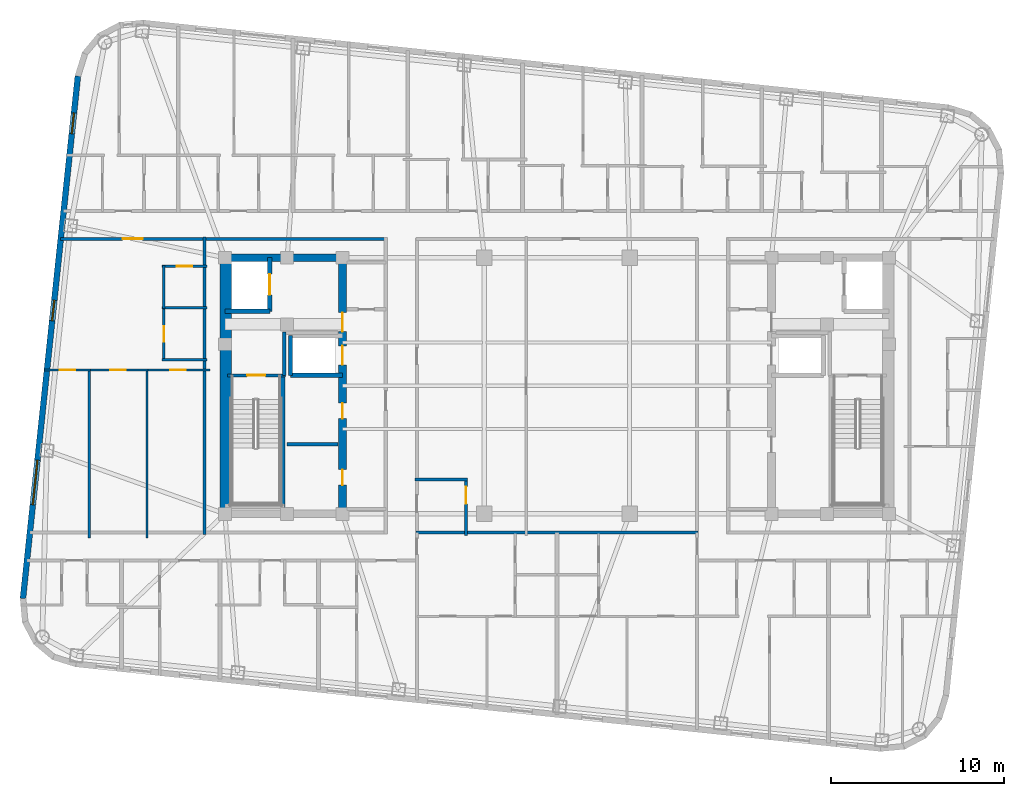
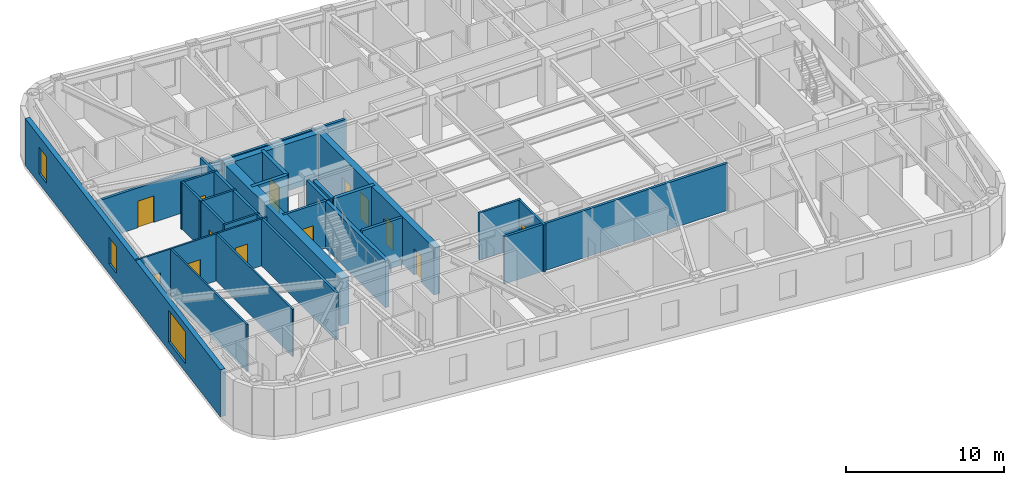
# One storey, part 4 of 11: 27 walls, 13 doors, 3 windows, 16 openings.
"""IFC4 building model written with IfcOpenShell, lengths in metres."""

from ifc_helpers import new_model, si_unit, direction, frame, frame_2d, origin, place, context, subcontext, project, spatial, rectangle, extrude, material, layer, layer_set, type_object, element, fill, save


model = new_model("IFC4")

# Units and contexts
model_context = context("Model", 3, precision=1e-05, world=origin(), true_north=direction((0.0, 1.0)))
body_context = subcontext(model_context, "Body", "Model", "MODEL_VIEW")
ifc_project = project(units=[si_unit("LENGTHUNIT", "METRE"), si_unit("AREAUNIT", "SQUARE_METRE"), si_unit("VOLUMEUNIT", "CUBIC_METRE"), si_unit("PLANEANGLEUNIT", "RADIAN"), si_unit("MASSUNIT", "GRAM", prefix="KILO")], contexts=[model_context])

# Site, building, storey
site_placement = place(None, origin())
site = spatial("IfcSite", under=ifc_project, at=site_placement, CompositionType="ELEMENT")
building_placement = place(site_placement, origin())
building = spatial("IfcBuilding", under=site, at=building_placement, Name="Voryun Gate Residences", CompositionType="ELEMENT")
storey_placement = place(building_placement, frame((0.0, 0.0, 299.0)))
storey = spatial("IfcBuildingStorey", under=building, at=storey_placement, Name="L74", CompositionType="ELEMENT", Elevation=299.0)

# Wall
ifc_material_1 = material(Name="Concrete C50/60", Category="concrete")
ifc_layer_1 = layer(ifc_material_1, 0.449951171875, Name="CW_CORE_450")
ifc_layer_set_1 = layer_set([ifc_layer_1], Name="Concrete C50/60")
wall_type_1 = type_object("IfcWallType", Name="CW_CORE_450", PredefinedType="SHEAR", material=ifc_layer_set_1)
wall_1_placement = place(storey_placement, frame((-19.425048828125, 7.39990234375, 0.0), z_axis=(0.0, 0.0, 1.0), x_axis=(1.0, 0.0, 0.0)))
element("IfcWall", 1, at=wall_1_placement, inside=storey, type_object=wall_type_1, Name="L74 Core shear wall CW-L74-WN", PredefinedType="SHEAR", context=body_context, shape_type="SweptSolid", body=[
    extrude(rectangle(XDim=7.25, YDim=0.449951171875, at=frame_2d((3.625, 0.0))), origin(), (0.0, 0.0, 1.0), 3.635009765625),
])

# Wall, openings, doors
wall_2_placement = place(storey_placement, frame((-12.39990234375, -7.39990234375, 0.0), z_axis=(0.0, 0.0, 1.0), x_axis=(0.0, 1.0, 0.0)))
wall_2 = element("IfcWall", 2, at=wall_2_placement, inside=storey, type_object=wall_type_1, Name="L74 Core shear wall CW-L74-WE", PredefinedType="SHEAR", context=body_context, shape_type="SweptSolid", body=[
    extrude(rectangle(XDim=14.7998046875, YDim=0.449951171875, at=frame_2d((7.39990234375, 0.0))), origin(), (0.0, 0.0, 1.0), 3.635009765625),
])
opening_1_placement = place(wall_2_placement, frame((8.60009765625, 0.0, 0.0)))
opening_1 = element("IfcOpeningElement", 3, at=opening_1_placement, cuts=wall_2, Name="Opening LD2", PredefinedType="OPENING", context=body_context, shape_type="SweptSolid", body=[
    extrude(rectangle(XDim=1.10009765625, YDim=2.050048828125, at=frame_2d((0.550048828125, 1.02490234375))), frame((0.0, 0.235107421875, 0.0), z_axis=(0.0, -1.0, 0.0), x_axis=(1.0, 0.0, 0.0)), (0.0, 0.0, 1.0), 0.469970703125),
])
opening_2_placement = place(wall_2_placement, frame((10.530029296875, 0.0, 0.0)))
opening_2 = element("IfcOpeningElement", 4, at=opening_2_placement, cuts=wall_2, Name="Opening D-FD60-2", PredefinedType="OPENING", context=body_context, shape_type="SweptSolid", body=[
    extrude(rectangle(XDim=1.10009765625, YDim=2.050048828125, at=frame_2d((0.550048828125, 1.02490234375))), frame((0.0, 0.235107421875, 0.0), z_axis=(0.0, -1.0, 0.0), x_axis=(1.0, 0.0, 0.0)), (0.0, 0.0, 1.0), 0.469970703125),
])
opening_3_placement = place(wall_2_placement, frame((1.64990234375, 0.0, 0.0)))
opening_3 = element("IfcOpeningElement", 5, at=opening_3_placement, cuts=wall_2, Name="Opening D-FD60-4", PredefinedType="OPENING", context=body_context, shape_type="SweptSolid", body=[
    extrude(rectangle(XDim=0.89990234375, YDim=2.050048828125, at=frame_2d((0.449951171875, 1.02490234375))), frame((0.0, 0.235107421875, 0.0), z_axis=(0.0, -1.0, 0.0), x_axis=(1.0, 0.0, 0.0)), (0.0, 0.0, 1.0), 0.469970703125),
])
opening_4_placement = place(wall_2_placement, frame((5.5, 0.0, 0.0)))
opening_4 = element("IfcOpeningElement", 6, at=opening_4_placement, cuts=wall_2, Name="Opening D-FD60-4", PredefinedType="OPENING", context=body_context, shape_type="SweptSolid", body=[
    extrude(rectangle(XDim=0.89990234375, YDim=2.050048828125, at=frame_2d((0.449951171875, 1.02490234375))), frame((0.0, 0.235107421875, 0.0), z_axis=(0.0, -1.0, 0.0), x_axis=(1.0, 0.0, 0.0)), (0.0, 0.0, 1.0), 0.469970703125),
])
ifc_material_2 = material(Name="Painted steel fire door", Category="steel")
door_type_1 = type_object("IfcDoorType", Name="DR_FD60_FFLOB_1100", OperationType="NOTDEFINED", PredefinedType="DOOR", material=ifc_material_2)
door_1_placement = place(opening_2_placement, origin())
door_1 = element("IfcDoor", 7, at=door_1_placement, inside=storey, type_object=door_type_1, Name="Door DR-L74-CLOB-W", OperationType="SINGLE_SWING_LEFT", OverallHeight=2.050048828125, OverallWidth=1.10009765625, PredefinedType="DOOR", context=body_context, shape_type="SweptSolid", body=[
    extrude(rectangle(XDim=1.10009765625, YDim=2.050048828125, at=frame_2d((0.550048828125, 1.02490234375))), frame((0.0, 0.02490234375, 0.0), z_axis=(0.0, -1.0, 0.0), x_axis=(1.0, 0.0, 0.0)), (0.0, 0.0, 1.0), 0.050048828125),
])
fill(opening_2, door_1)
ifc_material_3 = material(Name="Painted steel fire door", Category="steel")
door_type_2 = type_object("IfcDoorType", Name="DR_FD60_RISER_900", OperationType="NOTDEFINED", PredefinedType="DOOR", material=ifc_material_3)
door_2_placement = place(opening_3_placement, origin())
door_2 = element("IfcDoor", 8, at=door_2_placement, inside=storey, type_object=door_type_2, Name="Door DR-L74-RECW-HS", OperationType="SINGLE_SWING_LEFT", OverallHeight=2.050048828125, OverallWidth=0.89990234375, PredefinedType="DOOR", context=body_context, shape_type="SweptSolid", body=[
    extrude(rectangle(XDim=0.89990234375, YDim=2.050048828125, at=frame_2d((0.449951171875, 1.02490234375))), frame((0.0, 0.02490234375, 0.0), z_axis=(0.0, -1.0, 0.0), x_axis=(1.0, 0.0, 0.0)), (0.0, 0.0, 1.0), 0.050048828125),
])
fill(opening_3, door_2)
door_3_placement = place(opening_4_placement, origin())
door_3 = element("IfcDoor", 9, at=door_3_placement, inside=storey, type_object=door_type_2, Name="Door DR-L74-RECW-HN", OperationType="SINGLE_SWING_RIGHT", OverallHeight=2.050048828125, OverallWidth=0.89990234375, PredefinedType="DOOR", context=body_context, shape_type="SweptSolid", body=[
    extrude(rectangle(XDim=0.89990234375, YDim=2.050048828125, at=frame_2d((0.449951171875, 1.02490234375))), frame((0.0, 0.02490234375, 0.0), z_axis=(0.0, -1.0, 0.0), x_axis=(1.0, 0.0, 0.0)), (0.0, 0.0, 1.0), 0.050048828125),
])
fill(opening_4, door_3)
ifc_material_4 = material(Name="Anodised aluminium", Category="aluminium")
door_type_3 = type_object("IfcDoorType", Name="DR_LD_PASS_1100", OperationType="NOTDEFINED", PredefinedType="DOOR", material=ifc_material_4)
door_4_placement = place(opening_1_placement, origin())
door_4 = element("IfcDoor", 10, at=door_4_placement, inside=storey, type_object=door_type_3, Name="Lift EL-P7 sliding landing door L74", OperationType="SLIDING_TO_LEFT", OverallHeight=2.050048828125, OverallWidth=1.10009765625, PredefinedType="DOOR", context=body_context, shape_type="SweptSolid", body=[
    extrude(rectangle(XDim=1.10009765625, YDim=2.050048828125, at=frame_2d((0.550048828125, 1.02490234375))), frame((0.0, 0.02490234375, 0.0), z_axis=(0.0, -1.0, 0.0), x_axis=(1.0, 0.0, 0.0)), (0.0, 0.0, 1.0), 0.050048828125),
])
fill(opening_1, door_4)

# Wall
ifc_material_5 = material(Name="Concrete C60/75", Category="concrete")
ifc_layer_2 = layer(ifc_material_5, 0.64990234375, Name="CW_CORE_650")
ifc_layer_set_2 = layer_set([ifc_layer_2], Name="Concrete C60/75")
wall_type_2 = type_object("IfcWallType", Name="CW_CORE_650", PredefinedType="SHEAR", material=ifc_layer_set_2)
wall_3_placement = place(storey_placement, frame((-19.14501953125, -7.39990234375, 0.0), z_axis=(0.0, 0.0, 1.0), x_axis=(0.0, 1.0, 0.0)))
element("IfcWall", 11, at=wall_3_placement, inside=storey, type_object=wall_type_2, Name="L74 Core shear wall CW-L74-WW", PredefinedType="SHEAR", context=body_context, shape_type="SweptSolid", body=[
    extrude(rectangle(XDim=14.7998046875, YDim=0.64990234375, at=frame_2d((7.39990234375, 0.0))), origin(), (0.0, 0.0, 1.0), 3.635009765625),
])

# Wall, opening, door
ifc_material_6 = material(Name="Gypsum acoustic fireboard")
ifc_layer_3 = layer(ifc_material_6, 0.179931640625, Name="W_CORR_RATED_180")
ifc_layer_set_3 = layer_set([ifc_layer_3], Name="Gypsum acoustic fireboard")
wall_type_3 = type_object("IfcWallType", Name="W_CORR_RATED_180", PredefinedType="PARTITIONING", material=ifc_layer_set_3)
wall_4_placement = place(storey_placement, frame((-19.06005859375, 0.60009765625, 0.0), z_axis=(0.0, 0.0, 1.0), x_axis=(1.0, 0.0, 0.0)))
wall_4 = element("IfcWall", 12, at=wall_4_placement, inside=storey, type_object=wall_type_3, Name="Partition wall WP-L74-STV-W", PredefinedType="PARTITIONING", context=body_context, shape_type="SweptSolid", body=[
    extrude(rectangle(XDim=3.360107421875, YDim=0.179931640625, at=frame_2d((1.68017578125, 0.0))), origin(), (0.0, 0.0, 1.0), 3.635009765625),
])
opening_5_placement = place(wall_4_placement, frame((1.155029296875, 0.0, 0.0)))
opening_5 = element("IfcOpeningElement", 13, at=opening_5_placement, cuts=wall_4, Name="Opening D-FD60-1", PredefinedType="OPENING", context=body_context, shape_type="SweptSolid", body=[
    extrude(rectangle(XDim=1.050048828125, YDim=2.050048828125, at=frame_2d((0.52490234375, 1.02490234375))), frame((0.0, 0.099853515625, 0.0), z_axis=(0.0, -1.0, 0.0), x_axis=(1.0, 0.0, 0.0)), (0.0, 0.0, 1.0), 0.199951171875),
])
ifc_material_7 = material(Name="Painted steel fire door", Category="steel")
door_type_4 = type_object("IfcDoorType", Name="DR_FD60_STAIR_1050", OperationType="NOTDEFINED", PredefinedType="DOOR", material=ifc_material_7)
door_5_placement = place(opening_5_placement, origin())
door_5 = element("IfcDoor", 14, at=door_5_placement, inside=storey, type_object=door_type_4, Name="Door DR-L74-ST-W", OperationType="SINGLE_SWING_LEFT", OverallHeight=2.050048828125, OverallWidth=1.050048828125, PredefinedType="DOOR", context=body_context, shape_type="SweptSolid", body=[
    extrude(rectangle(XDim=1.050048828125, YDim=2.050048828125, at=frame_2d((0.52490234375, 1.02490234375))), frame((0.0, 0.02490234375, 0.0), z_axis=(0.0, -1.0, 0.0), x_axis=(1.0, 0.0, 0.0)), (0.0, 0.0, 1.0), 0.050048828125),
])
fill(opening_5, door_5)

wall_5_placement = place(storey_placement, frame((-28.685546875, 8.489990234375, 0.0), z_axis=(0.0, 0.0, 1.0), x_axis=(1.0, 0.0, 0.0)))
wall_5 = element("IfcWall", 15, at=wall_5_placement, inside=storey, type_object=wall_type_3, Name="Partition wall WP-L74-CWING-WN", PredefinedType="PARTITIONING", context=body_context, shape_type="SweptSolid", body=[
    extrude(rectangle(XDim=18.8056640625, YDim=0.179931640625, at=frame_2d((9.40283203125, 0.0))), origin(), (0.0, 0.0, 1.0), 3.074951171875),
])
opening_6_placement = place(wall_5_placement, frame((3.577392578125, 0.0, 0.0)))
opening_6 = element("IfcOpeningElement", 16, at=opening_6_placement, cuts=wall_5, Name="Opening D-UNIT-1", PredefinedType="OPENING", context=body_context, shape_type="SweptSolid", body=[
    extrude(rectangle(XDim=1.14990234375, YDim=2.050048828125, at=frame_2d((0.574951171875, 1.02490234375))), frame((0.0, 0.099853515625, 0.0), z_axis=(0.0, -1.0, 0.0), x_axis=(1.0, 0.0, 0.0)), (0.0, 0.0, 1.0), 0.199951171875),
])
ifc_material_8 = material(Name="Armoured timber-clad fire door", Category="wood")
door_type_5 = type_object("IfcDoorType", Name="DR_UNIT_ENTRY_1150", OperationType="NOTDEFINED", PredefinedType="DOOR", material=ifc_material_8)
door_6_placement = place(opening_6_placement, origin())
door_6 = element("IfcDoor", 17, at=door_6_placement, inside=storey, type_object=door_type_5, Name="Door DR-L74-WE1N", OperationType="SINGLE_SWING_LEFT", OverallHeight=2.050048828125, OverallWidth=1.14990234375, PredefinedType="DOOR", context=body_context, shape_type="SweptSolid", body=[
    extrude(rectangle(XDim=1.14990234375, YDim=2.050048828125, at=frame_2d((0.574951171875, 1.02490234375))), frame((0.0, 0.02490234375, 0.0), z_axis=(0.0, -1.0, 0.0), x_axis=(1.0, 0.0, 0.0)), (0.0, 0.0, 1.0), 0.050048828125),
])
fill(opening_6, door_6)

# Walls
wall_6_placement = place(storey_placement, frame((-8.14990234375, -8.489990234375, 0.0), z_axis=(0.0, 0.0, 1.0), x_axis=(1.0, 0.0, 0.0)))
element("IfcWall", 18, at=wall_6_placement, inside=storey, type_object=wall_type_3, Name="Partition wall WP-L74-Z3S", PredefinedType="PARTITIONING", context=body_context, shape_type="SweptSolid", body=[
    extrude(rectangle(XDim=16.2998046875, YDim=0.179931640625, at=frame_2d((8.14990234375, 0.0))), origin(), (0.0, 0.0, 1.0), 3.635009765625),
])
wall_7_placement = place(storey_placement, frame((-20.3701171875, -8.610107421875, 0.0), z_axis=(0.0, 0.0, 1.0), x_axis=(0.0, 1.0, 0.0)))
element("IfcWall", 19, at=wall_7_placement, inside=storey, type_object=wall_type_3, Name="Partition wall WP-L74-WCOR", PredefinedType="PARTITIONING", context=body_context, shape_type="SweptSolid", body=[
    extrude(rectangle(XDim=17.22021484375, YDim=0.179931640625, at=frame_2d((8.610107421875, 0.0))), origin(), (0.0, 0.0, 1.0), 3.635009765625),
])

# Wall, openings, windows
ifc_material_9 = material(Name="Charcoal terracotta masonry", Category="masonry")
ifc_layer_4 = layer(ifc_material_9, 0.340087890625, Name="W_EXT_TERRACOTTA_340")
ifc_layer_set_4 = layer_set([ifc_layer_4], Name="Charcoal terracotta masonry")
wall_type_4 = type_object("IfcWallType", Name="W_EXT_TERRACOTTA_340", PredefinedType="ELEMENTEDWALL", material=ifc_layer_set_4)
wall_8_placement = place(storey_placement, frame((-30.8701171875, -12.295654296875, 0.0), z_axis=(0.0, 0.0, 1.0), x_axis=(0.104533282919, 0.994521388791, 0.0)))
wall_8 = element("IfcWall", 20, at=wall_8_placement, inside=storey, type_object=wall_type_4, Name="Exterior wall WEXT-L74-06", PredefinedType="ELEMENTEDWALL", context=body_context, shape_type="SweptSolid", body=[
    extrude(rectangle(XDim=30.366455078125, YDim=0.340087890625, at=frame_2d((15.18310546875, 0.0))), origin(), (0.0, 0.0, 1.0), 3.635009765625),
])
opening_7_placement = place(wall_8_placement, frame((5.441650390625, 0.0, 0.64990234375)))
opening_7 = element("IfcOpeningElement", 21, at=opening_7_placement, cuts=wall_8, Name="Opening WN4", PredefinedType="OPENING", context=body_context, shape_type="SweptSolid", body=[
    extrude(rectangle(XDim=2.60009765625, YDim=2.449951171875, at=frame_2d((1.300048828125, 1.22509765625))), frame((0.0, 0.179931640625, 0.0), z_axis=(0.0, -1.0, 0.0), x_axis=(1.0, 0.0, 0.0)), (0.0, 0.0, 1.0), 0.360107421875),
])
opening_8_placement = place(wall_8_placement, frame((27.0166015625, 0.0, 0.75)))
opening_8 = element("IfcOpeningElement", 22, at=opening_8_placement, cuts=wall_8, Name="Opening WN6", PredefinedType="OPENING", context=body_context, shape_type="SweptSolid", body=[
    extrude(rectangle(XDim=1.199951171875, YDim=2.050048828125, at=frame_2d((0.60009765625, 1.02490234375))), frame((0.0, 0.179931640625, 0.0), z_axis=(0.0, -1.0, 0.0), x_axis=(1.0, 0.0, 0.0)), (0.0, 0.0, 1.0), 0.360107421875),
])
opening_9_placement = place(wall_8_placement, frame((16.134521484375, 0.0, 0.75)))
opening_9 = element("IfcOpeningElement", 23, at=opening_9_placement, cuts=wall_8, Name="Opening WN6", PredefinedType="OPENING", context=body_context, shape_type="SweptSolid", body=[
    extrude(rectangle(XDim=1.199951171875, YDim=2.050048828125, at=frame_2d((0.60009765625, 1.02490234375))), frame((0.0, 0.179931640625, 0.0), z_axis=(0.0, -1.0, 0.0), x_axis=(1.0, 0.0, 0.0)), (0.0, 0.0, 1.0), 0.360107421875),
])
ifc_material_10 = material(Name="Laminated low-E glass", Category="glass")
window_type_1 = type_object("IfcWindowType", Name="WN_PENT_TALL_2600", PartitioningType="SINGLE_PANEL", PredefinedType="WINDOW", material=ifc_material_10)
window_1_placement = place(opening_7_placement, origin())
window_1 = element("IfcWindow", 24, at=window_1_placement, inside=storey, type_object=window_type_1, Name="Window WN-WEXT-L74-06-01", OverallHeight=2.449951171875, OverallWidth=2.60009765625, PartitioningType="SINGLE_PANEL", PredefinedType="WINDOW", context=body_context, shape_type="SweptSolid", body=[
    extrude(rectangle(XDim=2.60009765625, YDim=2.449951171875, at=frame_2d((1.300048828125, 1.22509765625))), frame((0.0, 0.030029296875, 0.0), z_axis=(0.0, -1.0, 0.0), x_axis=(1.0, 0.0, 0.0)), (0.0, 0.0, 1.0), 0.06005859375),
])
fill(opening_7, window_1)
ifc_material_11 = material(Name="Laminated low-E glass", Category="glass")
window_type_2 = type_object("IfcWindowType", Name="WN_POD_SLOT_1200", PartitioningType="SINGLE_PANEL", PredefinedType="WINDOW", material=ifc_material_11)
window_2_placement = place(opening_8_placement, origin())
window_2 = element("IfcWindow", 25, at=window_2_placement, inside=storey, type_object=window_type_2, Name="Window WN-L74-DWFIX-01", OverallHeight=2.050048828125, OverallWidth=1.199951171875, PartitioningType="SINGLE_PANEL", PredefinedType="WINDOW", context=body_context, shape_type="SweptSolid", body=[
    extrude(rectangle(XDim=1.199951171875, YDim=2.050048828125, at=frame_2d((0.60009765625, 1.02490234375))), frame((0.0, 0.030029296875, 0.0), z_axis=(0.0, -1.0, 0.0), x_axis=(1.0, 0.0, 0.0)), (0.0, 0.0, 1.0), 0.06005859375),
])
fill(opening_8, window_2)
window_3_placement = place(opening_9_placement, origin())
window_3 = element("IfcWindow", 26, at=window_3_placement, inside=storey, type_object=window_type_2, Name="Window WN-L74-DWFIX-28", OverallHeight=2.050048828125, OverallWidth=1.199951171875, PartitioningType="SINGLE_PANEL", PredefinedType="WINDOW", context=body_context, shape_type="SweptSolid", body=[
    extrude(rectangle(XDim=1.199951171875, YDim=2.050048828125, at=frame_2d((0.60009765625, 1.02490234375))), frame((0.0, 0.030029296875, 0.0), z_axis=(0.0, -1.0, 0.0), x_axis=(1.0, 0.0, 0.0)), (0.0, 0.0, 1.0), 0.06005859375),
])
fill(opening_9, window_3)

# Walls
ifc_material_12 = material(Name="Concrete C40/50", Category="concrete")
ifc_layer_5 = layer(ifc_material_12, 0.199951171875, Name="W_FF_LOBBY_200")
ifc_layer_set_5 = layer_set([ifc_layer_5], Name="Concrete C40/50")
wall_type_5 = type_object("IfcWallType", Name="W_FF_LOBBY_200", PredefinedType="PARTITIONING", material=ifc_layer_set_5)
wall_9_placement = place(storey_placement, frame((-15.760009765625, 0.580078125, 0.0), z_axis=(0.0, 0.0, 1.0), x_axis=(0.0, 1.0, 0.0)))
element("IfcWall", 27, at=wall_9_placement, inside=storey, type_object=wall_type_5, Name="Partition wall WP-L74-FFP0-W", PredefinedType="PARTITIONING", context=body_context, shape_type="SweptSolid", body=[
    extrude(rectangle(XDim=2.52001953125, YDim=0.199951171875, at=frame_2d((1.260009765625, 0.0))), origin(), (0.0, 0.0, 1.0), 3.635009765625),
])
wall_10_placement = place(storey_placement, frame((-15.60009765625, -3.389892578125, 0.0), z_axis=(0.0, 0.0, 1.0), x_axis=(1.0, 0.0, 0.0)))
element("IfcWall", 28, at=wall_10_placement, inside=storey, type_object=wall_type_5, Name="Partition wall WP-L74-RECEY-W", PredefinedType="PARTITIONING", context=body_context, shape_type="SweptSolid", body=[
    extrude(rectangle(XDim=2.940185546875, YDim=0.199951171875, at=frame_2d((1.47021484375, 0.0))), origin(), (0.0, 0.0, 1.0), 3.635009765625),
])
ifc_material_13 = material(Name="Concrete C50/60", Category="concrete")
ifc_layer_6 = layer(ifc_material_13, 0.25, Name="W_SHAFT_RC250")
ifc_layer_set_6 = layer_set([ifc_layer_6], Name="Concrete C50/60")
wall_type_6 = type_object("IfcWallType", Name="W_SHAFT_RC250", PredefinedType="SOLIDWALL", material=ifc_layer_set_6)
wall_11_placement = place(storey_placement, frame((-15.860107421875, -7.0849609375, 0.0), z_axis=(0.0, 0.0, 1.0), x_axis=(0.0, 1.0, 0.0)))
element("IfcWall", 29, at=wall_11_placement, inside=storey, type_object=wall_type_6, Name="L74 Stair shaft structural wall W-STR", PredefinedType="SOLIDWALL", context=body_context, shape_type="SweptSolid", body=[
    extrude(rectangle(XDim=7.68505859375, YDim=0.25, at=frame_2d((3.842529296875, 0.0))), origin(), (0.0, 0.0, 1.0), 3.635009765625),
])
wall_12_placement = place(storey_placement, frame((-19.199951171875, 4.300048828125, 0.0), z_axis=(0.0, 0.0, 1.0), x_axis=(1.0, 0.0, 0.0)))
element("IfcWall", 30, at=wall_12_placement, inside=storey, type_object=wall_type_6, Name="Lift shaft wall WSH-L74-EL-FF-W1-S", PredefinedType="SOLIDWALL", context=body_context, shape_type="SweptSolid", body=[
    extrude(rectangle(XDim=2.599853515625, YDim=0.25, at=frame_2d((1.2998046875, 0.0))), origin(), (0.0, 0.0, 1.0), 3.635009765625),
])

# Wall, opening, door
wall_13_placement = place(storey_placement, frame((-16.60009765625, 4.300048828125, 0.0), z_axis=(0.0, 0.0, 1.0), x_axis=(0.0, 1.0, 0.0)))
wall_13 = element("IfcWall", 31, at=wall_13_placement, inside=storey, type_object=wall_type_6, Name="Lift shaft wall WSH-L74-EL-FF-W1-E", PredefinedType="SOLIDWALL", context=body_context, shape_type="SweptSolid", body=[
    extrude(rectangle(XDim=3.099853515625, YDim=0.25, at=frame_2d((1.5498046875, 0.0))), origin(), (0.0, 0.0, 1.0), 3.635009765625),
])
opening_10_placement = place(wall_13_placement, frame((0.949951171875, 0.0, 0.0)))
opening_10 = element("IfcOpeningElement", 32, at=opening_10_placement, cuts=wall_13, Name="Opening LD1", PredefinedType="OPENING", context=body_context, shape_type="SweptSolid", body=[
    extrude(rectangle(XDim=1.199951171875, YDim=2.050048828125, at=frame_2d((0.60009765625, 1.02490234375))), frame((0.0, 0.135009765625, 0.0), z_axis=(0.0, -1.0, 0.0), x_axis=(1.0, 0.0, 0.0)), (0.0, 0.0, 1.0), 0.27001953125),
])
ifc_material_14 = material(Name="Anodised aluminium", Category="aluminium")
door_type_6 = type_object("IfcDoorType", Name="DR_LD_FF_1200", OperationType="NOTDEFINED", PredefinedType="DOOR", material=ifc_material_14)
door_7_placement = place(opening_10_placement, origin())
door_7 = element("IfcDoor", 33, at=door_7_placement, inside=storey, type_object=door_type_6, Name="Lift EL-FF-W1 sliding landing door L74", OperationType="SLIDING_TO_LEFT", OverallHeight=2.050048828125, OverallWidth=1.199951171875, PredefinedType="DOOR", context=body_context, shape_type="SweptSolid", body=[
    extrude(rectangle(XDim=1.199951171875, YDim=2.050048828125, at=frame_2d((0.60009765625, 1.02490234375))), frame((0.0, 0.02490234375, 0.0), z_axis=(0.0, -1.0, 0.0), x_axis=(1.0, 0.0, 0.0)), (0.0, 0.0, 1.0), 0.050048828125),
])
fill(opening_10, door_7)

# Walls
wall_14_placement = place(storey_placement, frame((-15.39990234375, 0.60009765625, 0.0), z_axis=(0.0, 0.0, 1.0), x_axis=(1.0, 0.0, 0.0)))
element("IfcWall", 34, at=wall_14_placement, inside=storey, type_object=wall_type_6, Name="Lift shaft wall WSH-L74-EL-P7-S", PredefinedType="SOLIDWALL", context=body_context, shape_type="SweptSolid", body=[
    extrude(rectangle(XDim=3.0, YDim=0.25, at=frame_2d((1.5, 0.0))), origin(), (0.0, 0.0, 1.0), 3.635009765625),
])
wall_15_placement = place(storey_placement, frame((-15.39990234375, 2.89990234375, 0.0), z_axis=(0.0, 0.0, 1.0), x_axis=(0.0, -1.0, 0.0)))
element("IfcWall", 35, at=wall_15_placement, inside=storey, type_object=wall_type_6, Name="Lift shaft wall WSH-L74-EL-P7-W", PredefinedType="SOLIDWALL", context=body_context, shape_type="SweptSolid", body=[
    extrude(rectangle(XDim=2.2998046875, YDim=0.25, at=frame_2d((1.14990234375, 0.0))), origin(), (0.0, 0.0, 1.0), 3.635009765625),
])

# Wall, opening, door
ifc_material_15 = material(Name="Gypsum acoustic partition")
ifc_layer_7 = layer(ifc_material_15, 0.125, Name="W_UNIT_PART_125")
ifc_layer_set_7 = layer_set([ifc_layer_7], Name="Gypsum acoustic partition")
wall_type_7 = type_object("IfcWallType", Name="W_UNIT_PART_125", PredefinedType="PARTITIONING", material=ifc_layer_set_7)
wall_16_placement = place(storey_placement, frame((-29.633056640625, 0.909912109375, 0.0), z_axis=(0.0, 0.0, 1.0), x_axis=(1.0, 0.0, 0.0)))
wall_16 = element("IfcWall", 36, at=wall_16_placement, inside=storey, type_object=wall_type_7, Name="Partition wall WP-L74-W1-HZMB1", PredefinedType="PARTITIONING", context=body_context, shape_type="SweptSolid", body=[
    extrude(rectangle(XDim=2.654541015625, YDim=0.125, at=frame_2d((1.3271484375, 0.0))), origin(), (0.0, 0.0, 1.0), 3.635009765625),
])
opening_11_placement = place(wall_16_placement, frame((0.885986328125, 0.0, 0.0)))
opening_11 = element("IfcOpeningElement", 37, at=opening_11_placement, cuts=wall_16, Name="Opening D-INT-2", PredefinedType="OPENING", context=body_context, shape_type="SweptSolid", body=[
    extrude(rectangle(XDim=0.89990234375, YDim=2.050048828125, at=frame_2d((0.449951171875, 1.02490234375))), frame((0.0, 0.072509765625, 0.0), z_axis=(0.0, -1.0, 0.0), x_axis=(1.0, 0.0, 0.0)), (0.0, 0.0, 1.0), 0.14501953125),
])
ifc_material_16 = material(Name="Architectural oak veneer")
door_type_7 = type_object("IfcDoorType", Name="DR_INT_BATH_900", OperationType="NOTDEFINED", PredefinedType="DOOR", material=ifc_material_16)
door_8_placement = place(opening_11_placement, origin())
door_8 = element("IfcDoor", 38, at=door_8_placement, inside=storey, type_object=door_type_7, Name="Door DR-L74-W1-DMB", OperationType="SINGLE_SWING_LEFT", OverallHeight=2.050048828125, OverallWidth=0.89990234375, PredefinedType="DOOR", context=body_context, shape_type="SweptSolid", body=[
    extrude(rectangle(XDim=0.89990234375, YDim=2.050048828125, at=frame_2d((0.449951171875, 1.02490234375))), frame((0.0, 0.02490234375, 0.0), z_axis=(0.0, -1.0, 0.0), x_axis=(1.0, 0.0, 0.0)), (0.0, 0.0, 1.0), 0.050048828125),
])
fill(opening_11, door_8)

wall_17_placement = place(storey_placement, frame((-27.103515625, 0.909912109375, 0.0), z_axis=(0.0, 0.0, 1.0), x_axis=(1.0, 0.0, 0.0)))
wall_17 = element("IfcWall", 39, at=wall_17_placement, inside=storey, type_object=wall_type_7, Name="Partition wall WP-L74-W1-HZMB2", PredefinedType="PARTITIONING", context=body_context, shape_type="SweptSolid", body=[
    extrude(rectangle(XDim=3.4609375, YDim=0.125, at=frame_2d((1.73046875, 0.0))), origin(), (0.0, 0.0, 1.0), 3.635009765625),
])
opening_12_placement = place(wall_17_placement, frame((1.280517578125, 0.0, 0.0)))
opening_12 = element("IfcOpeningElement", 40, at=opening_12_placement, cuts=wall_17, Name="Opening D-INT-2", PredefinedType="OPENING", context=body_context, shape_type="SweptSolid", body=[
    extrude(rectangle(XDim=0.89990234375, YDim=2.050048828125, at=frame_2d((0.449951171875, 1.02490234375))), frame((0.0, 0.072509765625, 0.0), z_axis=(0.0, -1.0, 0.0), x_axis=(1.0, 0.0, 0.0)), (0.0, 0.0, 1.0), 0.14501953125),
])
door_9_placement = place(opening_12_placement, origin())
door_9 = element("IfcDoor", 41, at=door_9_placement, inside=storey, type_object=door_type_7, Name="Door DR-L74-W1-DBD2", OperationType="SINGLE_SWING_RIGHT", OverallHeight=2.050048828125, OverallWidth=0.89990234375, PredefinedType="DOOR", context=body_context, shape_type="SweptSolid", body=[
    extrude(rectangle(XDim=0.89990234375, YDim=2.050048828125, at=frame_2d((0.449951171875, 1.02490234375))), frame((0.0, 0.02490234375, 0.0), z_axis=(0.0, -1.0, 0.0), x_axis=(1.0, 0.0, 0.0)), (0.0, 0.0, 1.0), 0.050048828125),
])
fill(opening_12, door_9)

wall_18_placement = place(storey_placement, frame((-23.767578125, 0.909912109375, 0.0), z_axis=(0.0, 0.0, 1.0), x_axis=(1.0, 0.0, 0.0)))
wall_18 = element("IfcWall", 42, at=wall_18_placement, inside=storey, type_object=wall_type_7, Name="Partition wall WP-L74-W1-HZMB3", PredefinedType="PARTITIONING", context=body_context, shape_type="SweptSolid", body=[
    extrude(rectangle(XDim=3.717529296875, YDim=0.125, at=frame_2d((1.85888671875, 0.0))), origin(), (0.0, 0.0, 1.0), 3.635009765625),
])
opening_13_placement = place(wall_18_placement, frame((1.39990234375, 0.0, 0.0)))
opening_13 = element("IfcOpeningElement", 43, at=opening_13_placement, cuts=wall_18, Name="Opening D-INT-2", PredefinedType="OPENING", context=body_context, shape_type="SweptSolid", body=[
    extrude(rectangle(XDim=0.89990234375, YDim=2.050048828125, at=frame_2d((0.449951171875, 1.02490234375))), frame((0.0, 0.072509765625, 0.0), z_axis=(0.0, -1.0, 0.0), x_axis=(1.0, 0.0, 0.0)), (0.0, 0.0, 1.0), 0.14501953125),
])
door_10_placement = place(opening_13_placement, origin())
door_10 = element("IfcDoor", 44, at=door_10_placement, inside=storey, type_object=door_type_7, Name="Door DR-L74-W1-DBD3", OperationType="SINGLE_SWING_LEFT", OverallHeight=2.050048828125, OverallWidth=0.89990234375, PredefinedType="DOOR", context=body_context, shape_type="SweptSolid", body=[
    extrude(rectangle(XDim=0.89990234375, YDim=2.050048828125, at=frame_2d((0.449951171875, 1.02490234375))), frame((0.0, 0.02490234375, 0.0), z_axis=(0.0, -1.0, 0.0), x_axis=(1.0, 0.0, 0.0)), (0.0, 0.0, 1.0), 0.050048828125),
])
fill(opening_13, door_10)

# Walls
for number, where, z_axis, x_axis, name in (
    (45, (-23.705078125, -8.81005859375, 0.0), (0.0, 0.0, 1.0), (0.0, 1.0, 0.0), "Partition wall WP-L74-W1-VMB2"),
    (46, (-27.041015625, -8.81005859375, 0.0), (0.0, 0.0, 1.0), (0.0, 1.0, 0.0), "Partition wall WP-L74-W1-VMB"),
):
    element("IfcWall", number, at=place(storey_placement, frame(where, z_axis=z_axis, x_axis=x_axis)), inside=storey, type_object=wall_type_7, Name=name, PredefinedType="PARTITIONING", context=body_context, shape_type="SweptSolid", body=[
        extrude(rectangle(XDim=9.780029296875, YDim=0.125, at=frame_2d((4.89013671875, 0.0))), origin(), (0.0, 0.0, 1.0), 3.635009765625),
    ])

# Wall, opening, door
ifc_material_17 = material(Name="Gypsum moisture-resistant partition")
ifc_layer_8 = layer(ifc_material_17, 0.14990234375, Name="W_WET_PLUMB_150")
ifc_layer_set_8 = layer_set([ifc_layer_8], Name="Gypsum moisture-resistant partition")
wall_type_8 = type_object("IfcWallType", Name="W_WET_PLUMB_150", PredefinedType="PLUMBINGWALL", material=ifc_layer_set_8)
wall_19_placement = place(storey_placement, frame((-5.260009765625, -8.669921875, 0.0), z_axis=(0.0, 0.0, 1.0), x_axis=(0.0, 1.0, 0.0)))
wall_19 = element("IfcWall", 47, at=wall_19_placement, inside=storey, type_object=wall_type_8, Name="Partition wall WP-L74-CMWCX", PredefinedType="PLUMBINGWALL", context=body_context, shape_type="SweptSolid", body=[
    extrude(rectangle(XDim=3.349853515625, YDim=0.14990234375, at=frame_2d((1.6748046875, 0.0))), origin(), (0.0, 0.0, 1.0), 3.635009765625),
])
opening_14_placement = place(wall_19_placement, frame((1.8349609375, 0.0, 0.0)))
opening_14 = element("IfcOpeningElement", 48, at=opening_14_placement, cuts=wall_19, Name="Opening D-AWC-1", PredefinedType="OPENING", context=body_context, shape_type="SweptSolid", body=[
    extrude(rectangle(XDim=1.0, YDim=2.050048828125, at=frame_2d((0.5, 1.02490234375))), frame((0.0, 0.0849609375, 0.0), z_axis=(0.0, -1.0, 0.0), x_axis=(1.0, 0.0, 0.0)), (0.0, 0.0, 1.0), 0.169921875),
])
ifc_material_18 = material(Name="Architectural oak veneer")
door_type_8 = type_object("IfcDoorType", Name="DR_ACC_WC_1000", OperationType="NOTDEFINED", PredefinedType="DOOR", material=ifc_material_18)
door_11_placement = place(opening_14_placement, origin())
door_11 = element("IfcDoor", 49, at=door_11_placement, inside=storey, type_object=door_type_8, Name="Door DR-L74-CMWC", OperationType="SINGLE_SWING_LEFT", OverallHeight=2.050048828125, OverallWidth=1.0, PredefinedType="DOOR", context=body_context, shape_type="SweptSolid", body=[
    extrude(rectangle(XDim=1.0, YDim=2.050048828125, at=frame_2d((0.5, 1.02490234375))), frame((0.0, 0.02490234375, 0.0), z_axis=(0.0, -1.0, 0.0), x_axis=(1.0, 0.0, 0.0)), (0.0, 0.0, 1.0), 0.050048828125),
])
fill(opening_14, door_11)

# Wall
wall_20_placement = place(storey_placement, frame((-8.2099609375, -5.419921875, 0.0), z_axis=(0.0, 0.0, 1.0), x_axis=(1.0, 0.0, 0.0)))
element("IfcWall", 50, at=wall_20_placement, inside=storey, type_object=wall_type_8, Name="Partition wall WP-L74-CMWCY", PredefinedType="PLUMBINGWALL", context=body_context, shape_type="SweptSolid", body=[
    extrude(rectangle(XDim=3.050048828125, YDim=0.14990234375, at=frame_2d((1.52490234375, 0.0))), origin(), (0.0, 0.0, 1.0), 3.635009765625),
])

# Wall, opening, door
wall_21_placement = place(storey_placement, frame((-22.840087890625, 6.89990234375, 0.0), z_axis=(0.0, 0.0, 1.0), x_axis=(1.0, 0.0, 0.0)))
wall_21 = element("IfcWall", 51, at=wall_21_placement, inside=storey, type_object=wall_type_8, Name="Partition wall WP-L74-W1-IBT", PredefinedType="PLUMBINGWALL", context=body_context, shape_type="SweptSolid", body=[
    extrude(rectangle(XDim=2.6201171875, YDim=0.14990234375, at=frame_2d((1.31005859375, 0.0))), origin(), (0.0, 0.0, 1.0), 3.635009765625),
])
opening_15_placement = place(wall_21_placement, frame((0.860107421875, 0.0, 0.0)))
opening_15 = element("IfcOpeningElement", 52, at=opening_15_placement, cuts=wall_21, Name="Opening D-INT-2", PredefinedType="OPENING", context=body_context, shape_type="SweptSolid", body=[
    extrude(rectangle(XDim=0.89990234375, YDim=2.050048828125, at=frame_2d((0.449951171875, 1.02490234375))), frame((0.0, 0.0849609375, 0.0), z_axis=(0.0, -1.0, 0.0), x_axis=(1.0, 0.0, 0.0)), (0.0, 0.0, 1.0), 0.169921875),
])
door_12_placement = place(opening_15_placement, origin())
door_12 = element("IfcDoor", 53, at=door_12_placement, inside=storey, type_object=door_type_7, Name="Door DR-L74-W1-DK", OperationType="SINGLE_SWING_LEFT", OverallHeight=2.050048828125, OverallWidth=0.89990234375, PredefinedType="DOOR", context=body_context, shape_type="SweptSolid", body=[
    extrude(rectangle(XDim=0.89990234375, YDim=2.050048828125, at=frame_2d((0.449951171875, 1.02490234375))), frame((0.0, 0.02490234375, 0.0), z_axis=(0.0, -1.0, 0.0), x_axis=(1.0, 0.0, 0.0)), (0.0, 0.0, 1.0), 0.050048828125),
])
fill(opening_15, door_12)

# Walls
for number, where, z_axis, x_axis, name in (
    (54, (-22.840087890625, 4.52001953125, 0.0), (0.0, 0.0, 1.0), (1.0, 0.0, 0.0), "Partition wall WP-L74-W1-IKB"),
    (55, (-22.840087890625, 1.5, 0.0), (0.0, 0.0, 1.0), (1.0, 0.0, 0.0), "Partition wall WP-L74-W1-IBB"),
):
    element("IfcWall", number, at=place(storey_placement, frame(where, z_axis=z_axis, x_axis=x_axis)), inside=storey, type_object=wall_type_8, Name=name, PredefinedType="PLUMBINGWALL", context=body_context, shape_type="SweptSolid", body=[
        extrude(rectangle(XDim=2.6201171875, YDim=0.14990234375, at=frame_2d((1.31005859375, 0.0))), origin(), (0.0, 0.0, 1.0), 3.635009765625),
    ])

# Wall, opening, door
wall_22_placement = place(storey_placement, frame((-22.719970703125, 1.43994140625, 0.0), z_axis=(0.0, 0.0, 1.0), x_axis=(0.0, 1.0, 0.0)))
wall_22 = element("IfcWall", 56, at=wall_22_placement, inside=storey, type_object=wall_type_8, Name="Partition wall WP-L74-W1-VTSK1", PredefinedType="PLUMBINGWALL", context=body_context, shape_type="SweptSolid", body=[
    extrude(rectangle(XDim=3.1201171875, YDim=0.14990234375, at=frame_2d((1.56005859375, 0.0))), origin(), (0.0, 0.0, 1.0), 3.635009765625),
])
opening_16_placement = place(wall_22_placement, frame((1.110107421875, 0.0, 0.0)))
opening_16 = element("IfcOpeningElement", 57, at=opening_16_placement, cuts=wall_22, Name="Opening D-INT-2", PredefinedType="OPENING", context=body_context, shape_type="SweptSolid", body=[
    extrude(rectangle(XDim=0.89990234375, YDim=2.050048828125, at=frame_2d((0.449951171875, 1.02490234375))), frame((0.0, 0.0849609375, 0.0), z_axis=(0.0, -1.0, 0.0), x_axis=(1.0, 0.0, 0.0)), (0.0, 0.0, 1.0), 0.169921875),
])
door_13_placement = place(opening_16_placement, origin())
door_13 = element("IfcDoor", 58, at=door_13_placement, inside=storey, type_object=door_type_7, Name="Door DR-L74-W1-DB", OperationType="SINGLE_SWING_RIGHT", OverallHeight=2.050048828125, OverallWidth=0.89990234375, PredefinedType="DOOR", context=body_context, shape_type="SweptSolid", body=[
    extrude(rectangle(XDim=0.89990234375, YDim=2.050048828125, at=frame_2d((0.449951171875, 1.02490234375))), frame((0.0, 0.02490234375, 0.0), z_axis=(0.0, -1.0, 0.0), x_axis=(1.0, 0.0, 0.0)), (0.0, 0.0, 1.0), 0.050048828125),
])
fill(opening_16, door_13)

# Wall
wall_23_placement = place(storey_placement, frame((-22.719970703125, 4.47998046875, 0.0), z_axis=(0.0, 0.0, 1.0), x_axis=(0.0, 1.0, 0.0)))
element("IfcWall", 59, at=wall_23_placement, inside=storey, type_object=wall_type_8, Name="Partition wall WP-L74-W1-VTSK2", PredefinedType="PLUMBINGWALL", context=body_context, shape_type="SweptSolid", body=[
    extrude(rectangle(XDim=2.47998046875, YDim=0.14990234375, at=frame_2d((1.239990234375, 0.0))), origin(), (0.0, 0.0, 1.0), 3.635009765625),
])

save(model, "model.ifc")
